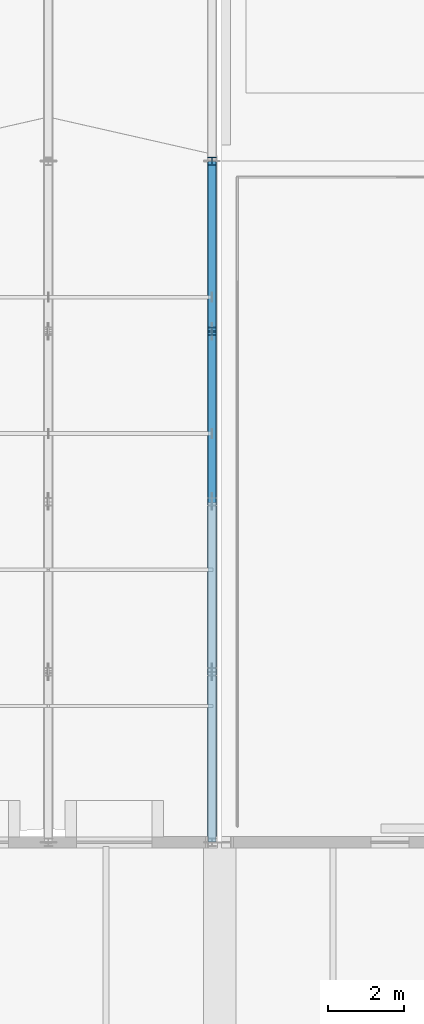
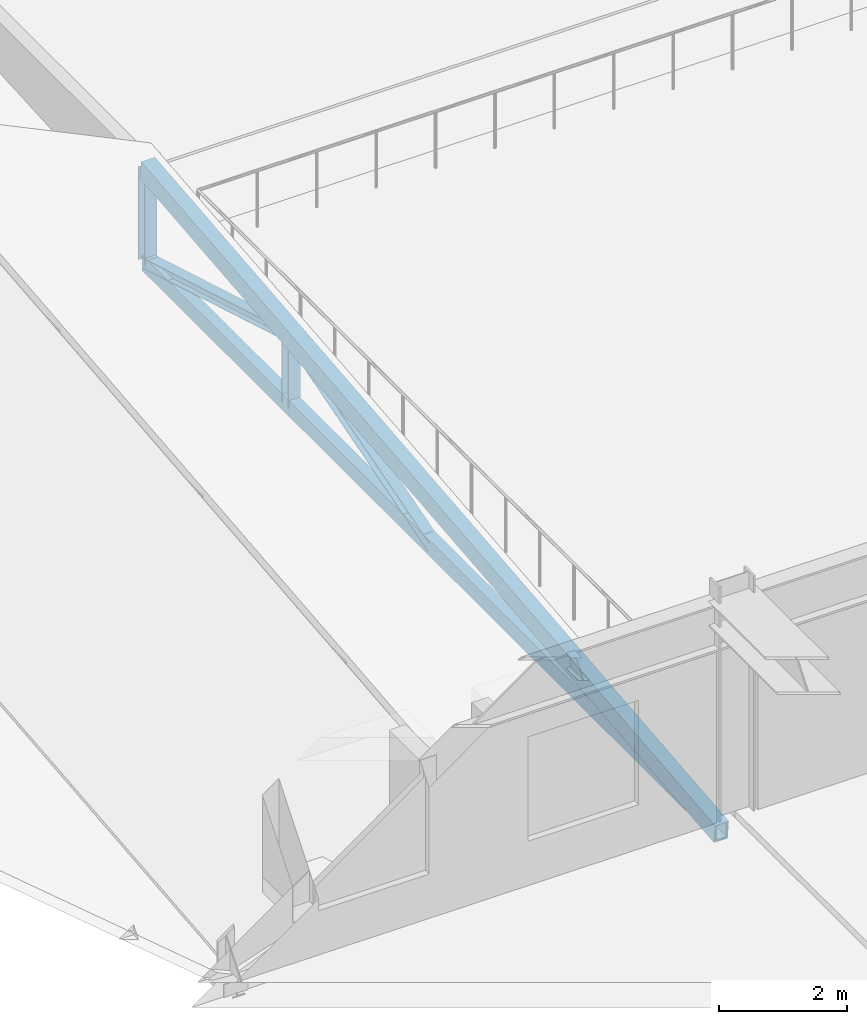
# One storey, part 50 of 142: 6 members.
"""IFC4 building model written with IfcOpenShell, lengths in metres."""

from ifc_helpers import new_model, si_unit, direction, frame, origin, origin_2d, place, context, subcontext, project, spatial, hollow_rectangle, i_section, extrude, material, material_profile, profile_set, type_object, element, save


model = new_model("IFC4")

# Units and contexts
model_context = context("Model", 3, precision=1e-05, world=origin(), true_north=direction((0.0, 1.0)))
body_context = subcontext(model_context, "Body", "Model", "MODEL_VIEW")
ifc_project = project(units=[si_unit("LENGTHUNIT", "METRE"), si_unit("AREAUNIT", "SQUARE_METRE"), si_unit("VOLUMEUNIT", "CUBIC_METRE"), si_unit("PLANEANGLEUNIT", "RADIAN"), si_unit("MASSUNIT", "GRAM", prefix="KILO")], contexts=[model_context])

# Site, building, storey
site_placement = place(None, origin())
site = spatial("IfcSite", under=ifc_project, at=site_placement, CompositionType="ELEMENT")
building_placement = place(site_placement, origin())
building = spatial("IfcBuilding", under=site, at=building_placement, Name="Montelvaro Courts of Justice", CompositionType="ELEMENT")
storey_placement = place(building_placement, frame((0.0, 0.0, 14.39990234375)))
storey = spatial("IfcBuildingStorey", under=building, at=storey_placement, Name="L03", CompositionType="ELEMENT", Elevation=14.39990234375)

# Members
ifc_material = material(Name="Steel S355", Category="steel")
ifc_material_profile_1 = material_profile(ifc_material, i_section(OverallWidth=0.199951171875, OverallDepth=0.18994140625, WebThickness=0.006591796875, FlangeThickness=0.010009765625, at=origin_2d()), Name="HEA 200")
ifc_profile_set_1 = profile_set([ifc_material_profile_1], Name="Steel S355")
member_type_1 = type_object("IfcMemberType", Name="Mem_HEA200_Brace", PredefinedType="BRACE", material=ifc_profile_set_1)
for number, where, z_axis, x_axis, name in (
    (1, (98.800048828125, 33.0, -0.2998046875), (0.0, 0.959000997748, 0.283402692857), (-1.0, 0.0, 0.0), "Roof Truss Web MB-02 ROOF-PASSAGE-S-VTR04-W3"),
    (2, (98.800048828125, 37.5, 1.030029296875), (0.0, 0.959000997748, -0.283402692857), (-1.0, 0.0, 0.0), "Roof Truss Web MB-02 ROOF-PASSAGE-S-VTR04-W4"),
):
    element("IfcMember", number, at=place(storey_placement, frame(where, z_axis=z_axis, x_axis=x_axis)), inside=storey, type_object=member_type_1, Name=name, PredefinedType="BRACE", context=body_context, shape_type="SweptSolid", body=[
        extrude(i_section(OverallWidth=0.199951171875, OverallDepth=0.18994140625, WebThickness=0.006591796875, FlangeThickness=0.010009765625, at=origin_2d()), origin(), (0.0, 0.0, 1.0), 4.6923828125),
    ])
ifc_material_profile_2 = material_profile(ifc_material, i_section(OverallWidth=0.219970703125, OverallDepth=0.2099609375, WebThickness=0.007080078125, FlangeThickness=0.010986328125, at=origin_2d()), Name="HEA 220")
ifc_profile_set_2 = profile_set([ifc_material_profile_2], Name="Steel S355")
member_type_2 = type_object("IfcMemberType", Name="Mem_HEA220_Post", PredefinedType="POST", material=ifc_profile_set_2)
member_1_placement = place(storey_placement, frame((98.800048828125, 37.5, -0.2998046875), z_axis=(0.0, 0.0, 1.0), x_axis=(1.0, 0.0, 0.0)))
element("IfcMember", 3, at=member_1_placement, inside=storey, type_object=member_type_2, Name="Roof Truss Post MP-03 ROOF-PASSAGE-S-VTR04-V3", PredefinedType="POST", context=body_context, shape_type="SweptSolid", body=[
    extrude(i_section(OverallWidth=0.219970703125, OverallDepth=0.2099609375, WebThickness=0.007080078125, FlangeThickness=0.010986328125, at=origin_2d()), origin(), (0.0, 0.0, 1.0), 1.329833984375),
])
member_2_placement = place(storey_placement, frame((98.800048828125, 42.0, -0.2998046875), z_axis=(0.0, 0.0, 1.0), x_axis=(1.0, 0.0, 0.0)))
element("IfcMember", 4, at=member_2_placement, inside=storey, type_object=member_type_2, Name="Roof Truss Post MP-03 ROOF-PASSAGE-S-VTR04-V4", PredefinedType="POST", context=body_context, shape_type="SweptSolid", body=[
    extrude(i_section(OverallWidth=0.219970703125, OverallDepth=0.2099609375, WebThickness=0.007080078125, FlangeThickness=0.010986328125, at=origin_2d()), origin(), (0.0, 0.0, 1.0), 1.77978515625),
])
ifc_material_profile_3 = material_profile(ifc_material, hollow_rectangle(XDim=0.199951171875, YDim=0.300048828125, WallThickness=0.012451171875, at=origin_2d()), Name="RHS 300x200x12.5")
ifc_profile_set_3 = profile_set([ifc_material_profile_3], Name="Steel S355")
member_type_3 = type_object("IfcMemberType", Name="Mem_RHS300_Chord", PredefinedType="CHORD", material=ifc_profile_set_3)
member_3_placement = place(storey_placement, frame((98.800048828125, 24.0, -0.2998046875), z_axis=(0.0, 1.0, 0.0), x_axis=(-1.0, 0.0, 0.0)))
element("IfcMember", 5, at=member_3_placement, inside=storey, type_object=member_type_3, Name="Roof Truss ROOF-PASSAGE-S-VTR04 Bottom Chord", PredefinedType="CHORD", context=body_context, shape_type="SweptSolid", body=[
    extrude(hollow_rectangle(XDim=0.199951171875, YDim=0.300048828125, WallThickness=0.012451171875, at=origin_2d()), origin(), (0.0, 0.0, 1.0), 18.0),
])
ifc_material_profile_4 = material_profile(ifc_material, hollow_rectangle(XDim=0.25, YDim=0.35009765625, WallThickness=0.012451171875, at=origin_2d()), Name="RHS 350x250x12.5")
ifc_profile_set_4 = profile_set([ifc_material_profile_4], Name="Steel S355")
member_type_4 = type_object("IfcMemberType", Name="Mem_RHS350_Chord", PredefinedType="CHORD", material=ifc_profile_set_4)
member_4_placement = place(storey_placement, frame((98.800048828125, 24.0, -0.31982421875), z_axis=(0.0, 0.995038259148, 0.099493029059), x_axis=(-1.0, 0.0, 0.0)))
element("IfcMember", 6, at=member_4_placement, inside=storey, type_object=member_type_4, Name="Roof Truss ROOF-PASSAGE-S-VTR04 Top Chord", PredefinedType="CHORD", context=body_context, shape_type="SweptSolid", body=[
    extrude(hollow_rectangle(XDim=0.25, YDim=0.35009765625, WallThickness=0.012451171875, at=origin_2d()), origin(), (0.0, 0.0, 1.0), 18.08984375),
])

save(model, "model.ifc")
